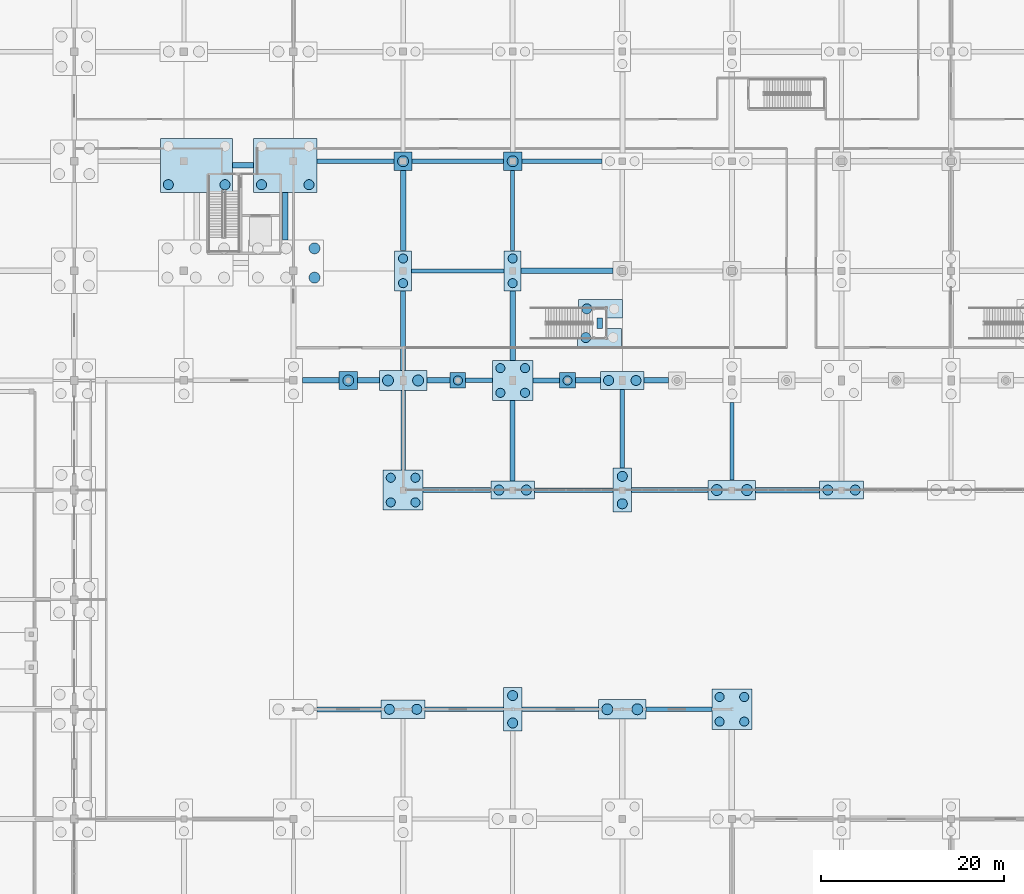
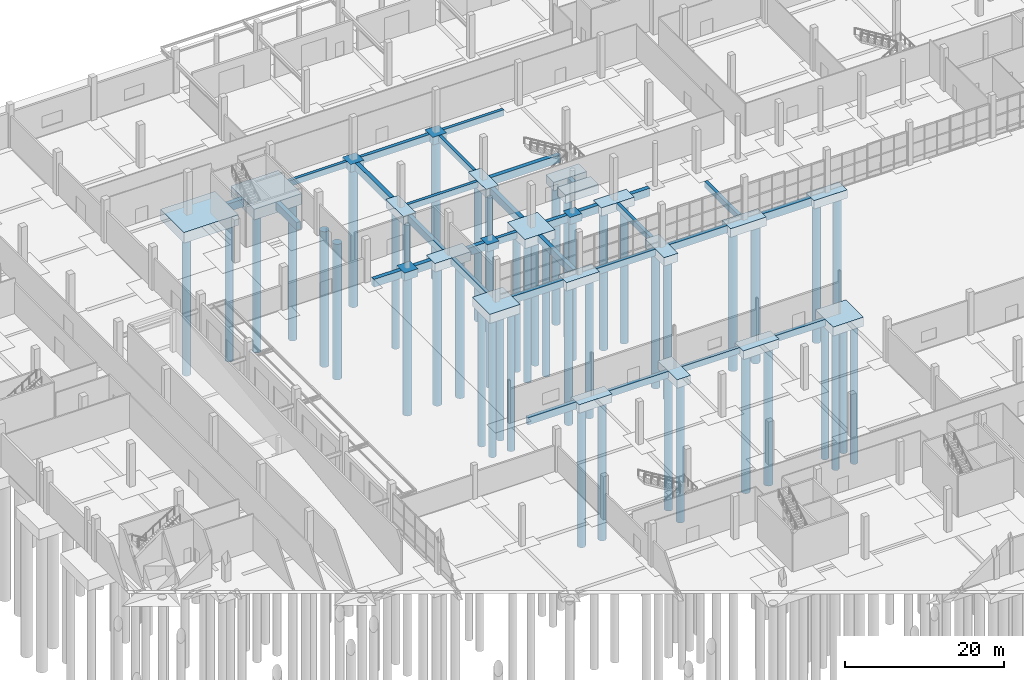
# One storey, part 6 of 117: 54 footings, 47 piles.
"""IFC4 building model written with IfcOpenShell, lengths in metres."""

from ifc_helpers import new_model, si_unit, direction, frame, origin, origin_2d, place, context, subcontext, project, spatial, rectangle, circle, extrude, material, material_profile, profile_set, type_object, element, save


model = new_model("IFC4")

# Units and contexts
model_context = context("Model", 3, precision=1e-05, world=origin(), true_north=direction((0.0, 1.0)))
body_context = subcontext(model_context, "Body", "Model", "MODEL_VIEW")
ifc_project = project(units=[si_unit("LENGTHUNIT", "METRE"), si_unit("AREAUNIT", "SQUARE_METRE"), si_unit("VOLUMEUNIT", "CUBIC_METRE"), si_unit("PLANEANGLEUNIT", "RADIAN"), si_unit("MASSUNIT", "GRAM", prefix="KILO")], contexts=[model_context])

# Site, building, storey
site_placement = place(None, origin())
site = spatial("IfcSite", under=ifc_project, at=site_placement, CompositionType="ELEMENT")
building_placement = place(site_placement, origin())
building = spatial("IfcBuilding", under=site, at=building_placement, Name="Kamomehara Wholesale Market", CompositionType="ELEMENT")
storey_placement = place(building_placement, origin())
storey = spatial("IfcBuildingStorey", under=building, at=storey_placement, Name="L00", CompositionType="ELEMENT", Elevation=0.0)

# Footings
ifc_material_1 = material(Name="Concrete Fc30 (C30/37)", Category="concrete")
footing_type_1 = type_object("IfcFootingType", Name="CAP-1P-1700", PredefinedType="PILE_CAP", material=ifc_material_1)
for number, where, z_axis, x_axis, name in (
    (1, (78.0, 108.0, -1.10009765625), (0.0, 0.0, 1.0), (1.0, 0.0, 0.0), "Pile cap PC-01"),
    (2, (90.0, 108.0, -1.10009765625), (0.0, 0.0, 1.0), (1.0, 0.0, 0.0), "Pile cap PC-01"),
):
    element("IfcFooting", number, at=place(storey_placement, frame(where, z_axis=z_axis, x_axis=x_axis)), inside=storey, type_object=footing_type_1, Name=name, PredefinedType="PILE_CAP", context=body_context, shape_type="SweptSolid", body=[
        extrude(rectangle(XDim=1.699951171875, YDim=1.699951171875, at=origin_2d()), origin(), (0.0, 0.0, 1.0), 1.10009765625),
    ])
ifc_material_2 = material(Name="Concrete Fc30 (C30/37)", Category="concrete")
footing_type_2 = type_object("IfcFootingType", Name="CAP-1P-2000", PredefinedType="PILE_CAP", material=ifc_material_2)
for number, where, z_axis, x_axis, name in (
    (3, (66.0, 108.0, -1.2001953125), (0.0, 0.0, 1.0), (1.0, 0.0, 0.0), "Pile cap PC-03"),
    (4, (72.0, 132.0, -1.2001953125), (0.0, 0.0, 1.0), (1.0, 0.0, 0.0), "Pile cap PC-03"),
    (5, (84.0, 132.0, -1.2001953125), (0.0, 0.0, 1.0), (1.0, 0.0, 0.0), "Pile cap PC-03"),
):
    element("IfcFooting", number, at=place(storey_placement, frame(where, z_axis=z_axis, x_axis=x_axis)), inside=storey, type_object=footing_type_2, Name=name, PredefinedType="PILE_CAP", context=body_context, shape_type="SweptSolid", body=[
        extrude(rectangle(XDim=2.0, YDim=2.0, at=origin_2d()), origin(), (0.0, 0.0, 1.0), 1.199951171875),
    ])
ifc_material_3 = material(Name="Concrete Fc30 (C30/37)", Category="concrete")
footing_type_3 = type_object("IfcFootingType", Name="CAP-2PX-4800", PredefinedType="PILE_CAP", material=ifc_material_3)
for number, where, z_axis, x_axis, name in (
    (6, (72.0, 72.0, -1.2998046875), (0.0, 0.0, 1.0), (1.0, 0.0, 0.0), "Pile cap PC-06"),
    (7, (84.0, 96.0, -1.2998046875), (0.0, 0.0, 1.0), (1.0, 0.0, 0.0), "Pile cap PC-06"),
    (8, (93.501953125, 112.699951171875, -1.2998046875), (0.0, 0.0, 1.0), (1.0, 0.0, 0.0), "Pile cap PC-06"),
    (9, (93.614990234375, 115.840087890625, -1.2998046875), (0.0, 0.0, 1.0), (1.0, 0.0, 0.0), "Pile cap PC-06"),
    (10, (96.0, 108.0, -1.2998046875), (0.0, 0.0, 1.0), (1.0, 0.0, 0.0), "Pile cap PC-06"),
    (11, (120.0, 96.0, -1.2998046875), (0.0, 0.0, 1.0), (1.0, 0.0, 0.0), "Pile cap PC-06"),
):
    element("IfcFooting", number, at=place(storey_placement, frame(where, z_axis=z_axis, x_axis=x_axis)), inside=storey, type_object=footing_type_3, Name=name, PredefinedType="PILE_CAP", context=body_context, shape_type="SweptSolid", body=[
        extrude(rectangle(XDim=4.800048828125, YDim=2.0, at=origin_2d()), origin(), (0.0, 0.0, 1.0), 1.300048828125),
    ])
ifc_material_4 = material(Name="Concrete Fc30 (C30/37)", Category="concrete")
footing_type_4 = type_object("IfcFootingType", Name="CAP-2PX-5200", PredefinedType="PILE_CAP", material=ifc_material_4)
for number, where, z_axis, x_axis, name in (
    (12, (72.0, 108.0, -1.35009765625), (0.0, 0.0, 1.0), (1.0, 0.0, 0.0), "Pile cap PC-08"),
    (13, (96.0, 72.0, -1.35009765625), (0.0, 0.0, 1.0), (1.0, 0.0, 0.0), "Pile cap PC-08"),
    (14, (108.0, 96.0, -1.35009765625), (0.0, 0.0, 1.0), (1.0, 0.0, 0.0), "Pile cap PC-08"),
):
    element("IfcFooting", number, at=place(storey_placement, frame(where, z_axis=z_axis, x_axis=x_axis)), inside=storey, type_object=footing_type_4, Name=name, PredefinedType="PILE_CAP", context=body_context, shape_type="SweptSolid", body=[
        extrude(rectangle(XDim=5.199951171875, YDim=2.14990234375, at=origin_2d()), origin(), (0.0, 0.0, 1.0), 1.35009765625),
    ])
ifc_material_5 = material(Name="Concrete Fc30 (C30/37)", Category="concrete")
footing_type_5 = type_object("IfcFootingType", Name="CAP-2PY-4400", PredefinedType="PILE_CAP", material=ifc_material_5)
for number, where, z_axis, x_axis, name in (
    (15, (72.0, 120.0, -1.25), (0.0, 0.0, 1.0), (1.0, 0.0, 0.0), "Pile cap PC-05"),
    (16, (84.0, 120.0, -1.25), (0.0, 0.0, 1.0), (1.0, 0.0, 0.0), "Pile cap PC-05"),
):
    element("IfcFooting", number, at=place(storey_placement, frame(where, z_axis=z_axis, x_axis=x_axis)), inside=storey, type_object=footing_type_5, Name=name, PredefinedType="PILE_CAP", context=body_context, shape_type="SweptSolid", body=[
        extrude(rectangle(XDim=1.85009765625, YDim=4.39990234375, at=origin_2d()), origin(), (0.0, 0.0, 1.0), 1.25),
    ])
ifc_material_6 = material(Name="Concrete Fc30 (C30/37)", Category="concrete")
footing_type_6 = type_object("IfcFootingType", Name="CAP-2PY-4800", PredefinedType="PILE_CAP", material=ifc_material_6)
for number, where, z_axis, x_axis, name in (
    (17, (84.0, 72.0, -1.2998046875), (0.0, 0.0, 1.0), (1.0, 0.0, 0.0), "Pile cap PC-07"),
    (18, (96.0, 96.0, -1.2998046875), (0.0, 0.0, 1.0), (1.0, 0.0, 0.0), "Pile cap PC-07"),
):
    element("IfcFooting", number, at=place(storey_placement, frame(where, z_axis=z_axis, x_axis=x_axis)), inside=storey, type_object=footing_type_6, Name=name, PredefinedType="PILE_CAP", context=body_context, shape_type="SweptSolid", body=[
        extrude(rectangle(XDim=2.0, YDim=4.800048828125, at=origin_2d()), origin(), (0.0, 0.0, 1.0), 1.300048828125),
    ])
ifc_material_7 = material(Name="Concrete Fc30 (C30/37)", Category="concrete")
footing_type_7 = type_object("IfcFootingType", Name="CAP-4P-4400", PredefinedType="PILE_CAP", material=ifc_material_7)
for number, where, z_axis, x_axis, name in (
    (19, (72.0, 96.0, -1.39990234375), (0.0, 0.0, 1.0), (1.0, 0.0, 0.0), "Pile cap PC-10"),
    (20, (84.0, 108.0, -1.39990234375), (0.0, 0.0, 1.0), (1.0, 0.0, 0.0), "Pile cap PC-10"),
    (21, (108.0, 72.0, -1.39990234375), (0.0, 0.0, 1.0), (1.0, 0.0, 0.0), "Pile cap PC-10"),
):
    element("IfcFooting", number, at=place(storey_placement, frame(where, z_axis=z_axis, x_axis=x_axis)), inside=storey, type_object=footing_type_7, Name=name, PredefinedType="PILE_CAP", context=body_context, shape_type="SweptSolid", body=[
        extrude(rectangle(XDim=4.39990234375, YDim=4.39990234375, at=origin_2d()), origin(), (0.0, 0.0, 1.0), 1.39990234375),
    ])
ifc_material_8 = material(Name="Concrete Fc30 (C30/37)", Category="concrete")
footing_type_8 = type_object("IfcFootingType", Name="CAP-CMB-690x590", PredefinedType="PILE_CAP", material=ifc_material_8)
footing_1_placement = place(storey_placement, frame((59.10009765625, 131.537109375, -1.64990234375), z_axis=(0.0, 0.0, 1.0), x_axis=(1.0, 0.0, 0.0)))
element("IfcFooting", 22, at=footing_1_placement, inside=storey, type_object=footing_type_8, Name="Pile cap PCC-69x59", PredefinedType="PILE_CAP", context=body_context, shape_type="SweptSolid", body=[
    extrude(rectangle(XDim=6.89990234375, YDim=5.89990234375, at=origin_2d()), origin(), (0.0, 0.0, 1.0), 1.64990234375),
])
ifc_material_9 = material(Name="Concrete Fc30 (C30/37)", Category="concrete")
footing_type_9 = type_object("IfcFootingType", Name="CAP-CMB-790x590", PredefinedType="PILE_CAP", material=ifc_material_9)
footing_2_placement = place(storey_placement, frame((49.39990234375, 131.537109375, -1.64990234375), z_axis=(0.0, 0.0, 1.0), x_axis=(1.0, 0.0, 0.0)))
element("IfcFooting", 23, at=footing_2_placement, inside=storey, type_object=footing_type_9, Name="Pile cap PCC-79x59", PredefinedType="PILE_CAP", context=body_context, shape_type="SweptSolid", body=[
    extrude(rectangle(XDim=7.89990234375, YDim=5.89990234375, at=origin_2d()), origin(), (0.0, 0.0, 1.0), 1.64990234375),
])
ifc_material_10 = material(Name="Concrete Fc30 (C30/37)", Category="concrete")
ifc_material_profile_1 = material_profile(ifc_material_10, rectangle(XDim=0.449951171875, YDim=0.89990234375, at=origin_2d()), Name="RC-FTB-450x900")
ifc_profile_set_1 = profile_set([ifc_material_profile_1], Name="Concrete Fc30 (C30/37)")
footing_type_10 = type_object("IfcFootingType", Name="FTB-450x900", PredefinedType="FOOTING_BEAM", material=ifc_profile_set_1)
footing_3_placement = place(storey_placement, frame((62.552001953125, 132.0, -0.449951171875), z_axis=(1.0, 0.0, 0.0), x_axis=(0.0, 1.0, 0.0)))
element("IfcFooting", 24, at=footing_3_placement, inside=storey, type_object=footing_type_10, Name="Foundation tie beam 59", PredefinedType="FOOTING_BEAM", context=body_context, shape_type="SweptSolid", body=[
    extrude(rectangle(XDim=0.449951171875, YDim=0.89990234375, at=origin_2d()), origin(), (0.0, 0.0, 1.0), 8.446044921875),
])
footing_4_placement = place(storey_placement, frame((72.927001953125, 120.0, -0.449951171875), z_axis=(1.0, 0.0, 0.0), x_axis=(0.0, 1.0, 0.0)))
element("IfcFooting", 25, at=footing_4_placement, inside=storey, type_object=footing_type_10, Name="Foundation tie beam 71", PredefinedType="FOOTING_BEAM", context=body_context, shape_type="SweptSolid", body=[
    extrude(rectangle(XDim=0.449951171875, YDim=0.89990234375, at=origin_2d()), origin(), (0.0, 0.0, 1.0), 10.14599609375),
])
footing_5_placement = place(storey_placement, frame((85.001953125, 72.0, -0.449951171875), z_axis=(1.0, 0.0, 0.0), x_axis=(0.0, 1.0, 0.0)))
element("IfcFooting", 26, at=footing_5_placement, inside=storey, type_object=footing_type_10, Name="Foundation tie beam 83", PredefinedType="FOOTING_BEAM", context=body_context, shape_type="SweptSolid", body=[
    extrude(rectangle(XDim=0.449951171875, YDim=0.89990234375, at=origin_2d()), origin(), (0.0, 0.0, 1.0), 8.39599609375),
])
for number, where, z_axis, x_axis, name in (
    (27, (85.001953125, 132.0, -0.449951171875), (1.0, 0.0, 0.0), (0.0, 1.0, 0.0), "Foundation tie beam 87"),
    (28, (84.0, 122.201904296875, -0.449951171875), (0.0, 1.0, 0.0), (-1.0, 0.0, 0.0), "Foundation tie beam 271"),
):
    element("IfcFooting", number, at=place(storey_placement, frame(where, z_axis=z_axis, x_axis=x_axis)), inside=storey, type_object=footing_type_10, Name=name, PredefinedType="FOOTING_BEAM", context=body_context, shape_type="SweptSolid", body=[
        extrude(rectangle(XDim=0.449951171875, YDim=0.89990234375, at=origin_2d()), origin(), (0.0, 0.0, 1.0), 8.796142578125),
    ])
footing_6_placement = place(storey_placement, frame((96.0, 98.402099609375, -0.449951171875), z_axis=(0.0, 1.0, 0.0), x_axis=(-1.0, 0.0, 0.0)))
element("IfcFooting", 29, at=footing_6_placement, inside=storey, type_object=footing_type_10, Name="Foundation tie beam 279", PredefinedType="FOOTING_BEAM", context=body_context, shape_type="SweptSolid", body=[
    extrude(rectangle(XDim=0.449951171875, YDim=0.89990234375, at=origin_2d()), origin(), (0.0, 0.0, 1.0), 8.595947265625),
])
footing_7_placement = place(storey_placement, frame((108.0, 97.076904296875, -0.449951171875), z_axis=(0.0, 1.0, 0.0), x_axis=(-1.0, 0.0, 0.0)))
element("IfcFooting", 30, at=footing_7_placement, inside=storey, type_object=footing_type_10, Name="Foundation tie beam 287", PredefinedType="FOOTING_BEAM", context=body_context, shape_type="SweptSolid", body=[
    extrude(rectangle(XDim=0.449951171875, YDim=0.89990234375, at=origin_2d()), origin(), (0.0, 0.0, 1.0), 8.52099609375),
])
ifc_material_11 = material(Name="Concrete Fc30 (C30/37)", Category="concrete")
ifc_material_profile_2 = material_profile(ifc_material_11, rectangle(XDim=0.5, YDim=1.0, at=origin_2d()), Name="RC-FTB-500x1000")
ifc_profile_set_2 = profile_set([ifc_material_profile_2], Name="Concrete Fc30 (C30/37)")
footing_type_11 = type_object("IfcFootingType", Name="FTB-500x1000", PredefinedType="FOOTING_BEAM", material=ifc_profile_set_2)
footing_8_placement = place(storey_placement, frame((74.402099609375, 72.0, -0.5), z_axis=(1.0, 0.0, 0.0), x_axis=(0.0, 1.0, 0.0)))
element("IfcFooting", 31, at=footing_8_placement, inside=storey, type_object=footing_type_11, Name="Foundation tie beam 68", PredefinedType="FOOTING_BEAM", context=body_context, shape_type="SweptSolid", body=[
    extrude(rectangle(XDim=0.5, YDim=1.0, at=origin_2d()), origin(), (0.0, 0.0, 1.0), 8.595947265625),
])
footing_9_placement = place(storey_placement, frame((73.001953125, 132.0, -0.5), z_axis=(1.0, 0.0, 0.0), x_axis=(0.0, 1.0, 0.0)))
element("IfcFooting", 32, at=footing_9_placement, inside=storey, type_object=footing_type_11, Name="Foundation tie beam 72", PredefinedType="FOOTING_BEAM", context=body_context, shape_type="SweptSolid", body=[
    extrude(rectangle(XDim=0.5, YDim=1.0, at=origin_2d()), origin(), (0.0, 0.0, 1.0), 9.99609375),
])
footing_10_placement = place(storey_placement, frame((78.85205078125, 108.0, -0.5), z_axis=(1.0, 0.0, 0.0), x_axis=(0.0, 1.0, 0.0)))
element("IfcFooting", 33, at=footing_10_placement, inside=storey, type_object=footing_type_11, Name="Foundation tie beam 76", PredefinedType="FOOTING_BEAM", context=body_context, shape_type="SweptSolid", body=[
    extrude(rectangle(XDim=0.5, YDim=1.0, at=origin_2d()), origin(), (0.0, 0.0, 1.0), 2.946044921875),
])
footing_11_placement = place(storey_placement, frame((86.402099609375, 96.0, -0.5), z_axis=(1.0, 0.0, 0.0), x_axis=(0.0, 1.0, 0.0)))
element("IfcFooting", 34, at=footing_11_placement, inside=storey, type_object=footing_type_11, Name="Foundation tie beam 84", PredefinedType="FOOTING_BEAM", context=body_context, shape_type="SweptSolid", body=[
    extrude(rectangle(XDim=0.5, YDim=1.0, at=origin_2d()), origin(), (0.0, 0.0, 1.0), 8.595947265625),
])
footing_12_placement = place(storey_placement, frame((98.60205078125, 72.0, -0.5), z_axis=(1.0, 0.0, 0.0), x_axis=(0.0, 1.0, 0.0)))
element("IfcFooting", 35, at=footing_12_placement, inside=storey, type_object=footing_type_11, Name="Foundation tie beam 96", PredefinedType="FOOTING_BEAM", context=body_context, shape_type="SweptSolid", body=[
    extrude(rectangle(XDim=0.5, YDim=1.0, at=origin_2d()), origin(), (0.0, 0.0, 1.0), 7.196044921875),
])
footing_13_placement = place(storey_placement, frame((72.0, 98.201904296875, -0.5), z_axis=(0.0, 1.0, 0.0), x_axis=(-1.0, 0.0, 0.0)))
element("IfcFooting", 36, at=footing_13_placement, inside=storey, type_object=footing_type_11, Name="Foundation tie beam 260", PredefinedType="FOOTING_BEAM", context=body_context, shape_type="SweptSolid", body=[
    extrude(rectangle(XDim=0.5, YDim=1.0, at=origin_2d()), origin(), (0.0, 0.0, 1.0), 8.72119140625),
])
ifc_material_12 = material(Name="Concrete Fc30 (C30/37)", Category="concrete")
ifc_material_profile_3 = material_profile(ifc_material_12, rectangle(XDim=0.550048828125, YDim=1.10009765625, at=origin_2d()), Name="RC-FTB-550x1100")
ifc_profile_set_3 = profile_set([ifc_material_profile_3], Name="Concrete Fc30 (C30/37)")
footing_type_12 = type_object("IfcFootingType", Name="FTB-550x1100", PredefinedType="FOOTING_BEAM", material=ifc_profile_set_3)
footing_14_placement = place(storey_placement, frame((62.60205078125, 72.0, -0.550048828125), z_axis=(1.0, 0.0, 0.0), x_axis=(0.0, 1.0, 0.0)))
element("IfcFooting", 37, at=footing_14_placement, inside=storey, type_object=footing_type_12, Name="Foundation tie beam 57", PredefinedType="FOOTING_BEAM", context=body_context, shape_type="SweptSolid", body=[
    extrude(rectangle(XDim=0.550048828125, YDim=1.10009765625, at=origin_2d()), origin(), (0.0, 0.0, 1.0), 6.995849609375),
])
footing_15_placement = place(storey_placement, frame((74.201904296875, 96.0, -0.550048828125), z_axis=(1.0, 0.0, 0.0), x_axis=(0.0, 1.0, 0.0)))
element("IfcFooting", 38, at=footing_15_placement, inside=storey, type_object=footing_type_12, Name="Foundation tie beam 69", PredefinedType="FOOTING_BEAM", context=body_context, shape_type="SweptSolid", body=[
    extrude(rectangle(XDim=0.550048828125, YDim=1.10009765625, at=origin_2d()), origin(), (0.0, 0.0, 1.0), 7.39599609375),
])
footing_16_placement = place(storey_placement, frame((86.201904296875, 108.0, -0.550048828125), z_axis=(1.0, 0.0, 0.0), x_axis=(0.0, 1.0, 0.0)))
element("IfcFooting", 39, at=footing_16_placement, inside=storey, type_object=footing_type_12, Name="Foundation tie beam 85", PredefinedType="FOOTING_BEAM", context=body_context, shape_type="SweptSolid", body=[
    extrude(rectangle(XDim=0.550048828125, YDim=1.10009765625, at=origin_2d()), origin(), (0.0, 0.0, 1.0), 2.946044921875),
])
footing_17_placement = place(storey_placement, frame((97.001953125, 96.0, -0.550048828125), z_axis=(1.0, 0.0, 0.0), x_axis=(0.0, 1.0, 0.0)))
element("IfcFooting", 40, at=footing_17_placement, inside=storey, type_object=footing_type_12, Name="Foundation tie beam 97", PredefinedType="FOOTING_BEAM", context=body_context, shape_type="SweptSolid", body=[
    extrude(rectangle(XDim=0.550048828125, YDim=1.10009765625, at=origin_2d()), origin(), (0.0, 0.0, 1.0), 8.39599609375),
])
footing_18_placement = place(storey_placement, frame((72.0, 109.076904296875, -0.550048828125), z_axis=(0.0, 1.0, 0.0), x_axis=(-1.0, 0.0, 0.0)))
element("IfcFooting", 41, at=footing_18_placement, inside=storey, type_object=footing_type_12, Name="Foundation tie beam 261", PredefinedType="FOOTING_BEAM", context=body_context, shape_type="SweptSolid", body=[
    extrude(rectangle(XDim=0.550048828125, YDim=1.10009765625, at=origin_2d()), origin(), (0.0, 0.0, 1.0), 8.72119140625),
])
footing_19_placement = place(storey_placement, frame((84.0, 97.001953125, -0.550048828125), z_axis=(0.0, 1.0, 0.0), x_axis=(-1.0, 0.0, 0.0)))
element("IfcFooting", 42, at=footing_19_placement, inside=storey, type_object=footing_type_12, Name="Foundation tie beam 269", PredefinedType="FOOTING_BEAM", context=body_context, shape_type="SweptSolid", body=[
    extrude(rectangle(XDim=0.550048828125, YDim=1.10009765625, at=origin_2d()), origin(), (0.0, 0.0, 1.0), 8.796142578125),
])
ifc_material_13 = material(Name="Concrete Fc30 (C30/37)", Category="concrete")
ifc_material_profile_4 = material_profile(ifc_material_13, rectangle(XDim=0.60009765625, YDim=1.199951171875, at=origin_2d()), Name="RC-FTB-600x1200")
ifc_profile_set_4 = profile_set([ifc_material_profile_4], Name="Concrete Fc30 (C30/37)")
footing_type_13 = type_object("IfcFootingType", Name="FTB-600x1200", PredefinedType="FOOTING_BEAM", material=ifc_profile_set_4)
footing_20_placement = place(storey_placement, frame((53.35205078125, 131.537109375, -0.60009765625), z_axis=(1.0, 0.0, 0.0), x_axis=(0.0, 1.0, 0.0)))
element("IfcFooting", 43, at=footing_20_placement, inside=storey, type_object=footing_type_13, Name="Foundation tie beam 50", PredefinedType="FOOTING_BEAM", context=body_context, shape_type="SweptSolid", body=[
    extrude(rectangle(XDim=0.60009765625, YDim=1.199951171875, at=origin_2d()), origin(), (0.0, 0.0, 1.0), 2.2958984375),
])
footing_21_placement = place(storey_placement, frame((61.001953125, 108.0, -0.60009765625), z_axis=(1.0, 0.0, 0.0), x_axis=(0.0, 1.0, 0.0)))
element("IfcFooting", 44, at=footing_21_placement, inside=storey, type_object=footing_type_13, Name="Foundation tie beam 58", PredefinedType="FOOTING_BEAM", context=body_context, shape_type="SweptSolid", body=[
    extrude(rectangle(XDim=0.60009765625, YDim=1.199951171875, at=origin_2d()), origin(), (0.0, 0.0, 1.0), 3.99609375),
])
footing_22_placement = place(storey_placement, frame((67.001953125, 108.0, -0.60009765625), z_axis=(1.0, 0.0, 0.0), x_axis=(0.0, 1.0, 0.0)))
element("IfcFooting", 45, at=footing_22_placement, inside=storey, type_object=footing_type_13, Name="Foundation tie beam 62", PredefinedType="FOOTING_BEAM", context=body_context, shape_type="SweptSolid", body=[
    extrude(rectangle(XDim=0.60009765625, YDim=1.199951171875, at=origin_2d()), origin(), (0.0, 0.0, 1.0), 2.39599609375),
])
footing_23_placement = place(storey_placement, frame((74.60205078125, 108.0, -0.60009765625), z_axis=(1.0, 0.0, 0.0), x_axis=(0.0, 1.0, 0.0)))
element("IfcFooting", 46, at=footing_23_placement, inside=storey, type_object=footing_type_13, Name="Foundation tie beam 70", PredefinedType="FOOTING_BEAM", context=body_context, shape_type="SweptSolid", body=[
    extrude(rectangle(XDim=0.60009765625, YDim=1.199951171875, at=origin_2d()), origin(), (0.0, 0.0, 1.0), 2.5458984375),
])
footing_24_placement = place(storey_placement, frame((84.927001953125, 120.0, -0.60009765625), z_axis=(1.0, 0.0, 0.0), x_axis=(0.0, 1.0, 0.0)))
element("IfcFooting", 47, at=footing_24_placement, inside=storey, type_object=footing_type_13, Name="Foundation tie beam 86", PredefinedType="FOOTING_BEAM", context=body_context, shape_type="SweptSolid", body=[
    extrude(rectangle(XDim=0.60009765625, YDim=1.199951171875, at=origin_2d()), origin(), (0.0, 0.0, 1.0), 10.071044921875),
])
footing_25_placement = place(storey_placement, frame((90.85205078125, 108.0, -0.60009765625), z_axis=(1.0, 0.0, 0.0), x_axis=(0.0, 1.0, 0.0)))
element("IfcFooting", 48, at=footing_25_placement, inside=storey, type_object=footing_type_13, Name="Foundation tie beam 90", PredefinedType="FOOTING_BEAM", context=body_context, shape_type="SweptSolid", body=[
    extrude(rectangle(XDim=0.60009765625, YDim=1.199951171875, at=origin_2d()), origin(), (0.0, 0.0, 1.0), 2.745849609375),
])
footing_26_placement = place(storey_placement, frame((98.402099609375, 108.0, -0.60009765625), z_axis=(1.0, 0.0, 0.0), x_axis=(0.0, 1.0, 0.0)))
element("IfcFooting", 49, at=footing_26_placement, inside=storey, type_object=footing_type_13, Name="Foundation tie beam 98", PredefinedType="FOOTING_BEAM", context=body_context, shape_type="SweptSolid", body=[
    extrude(rectangle(XDim=0.60009765625, YDim=1.199951171875, at=origin_2d()), origin(), (0.0, 0.0, 1.0), 2.6708984375),
])
footing_27_placement = place(storey_placement, frame((110.60205078125, 96.0, -0.60009765625), z_axis=(1.0, 0.0, 0.0), x_axis=(0.0, 1.0, 0.0)))
element("IfcFooting", 50, at=footing_27_placement, inside=storey, type_object=footing_type_13, Name="Foundation tie beam 110", PredefinedType="FOOTING_BEAM", context=body_context, shape_type="SweptSolid", body=[
    extrude(rectangle(XDim=0.60009765625, YDim=1.199951171875, at=origin_2d()), origin(), (0.0, 0.0, 1.0), 6.995849609375),
])
footing_28_placement = place(storey_placement, frame((59.10009765625, 123.364013671875, -0.60009765625), z_axis=(0.0, 1.0, 0.0), x_axis=(-1.0, 0.0, 0.0)))
element("IfcFooting", 51, at=footing_28_placement, inside=storey, type_object=footing_type_13, Name="Foundation tie beam 254", PredefinedType="FOOTING_BEAM", context=body_context, shape_type="SweptSolid", body=[
    extrude(rectangle(XDim=0.60009765625, YDim=1.199951171875, at=origin_2d()), origin(), (0.0, 0.0, 1.0), 5.220947265625),
])
footing_29_placement = place(storey_placement, frame((72.0, 122.201904296875, -0.60009765625), z_axis=(0.0, 1.0, 0.0), x_axis=(-1.0, 0.0, 0.0)))
element("IfcFooting", 52, at=footing_29_placement, inside=storey, type_object=footing_type_13, Name="Foundation tie beam 262", PredefinedType="FOOTING_BEAM", context=body_context, shape_type="SweptSolid", body=[
    extrude(rectangle(XDim=0.60009765625, YDim=1.199951171875, at=origin_2d()), origin(), (0.0, 0.0, 1.0), 8.796142578125),
])
footing_30_placement = place(storey_placement, frame((84.0, 110.201904296875, -0.60009765625), z_axis=(0.0, 1.0, 0.0), x_axis=(-1.0, 0.0, 0.0)))
element("IfcFooting", 53, at=footing_30_placement, inside=storey, type_object=footing_type_13, Name="Foundation tie beam 270", PredefinedType="FOOTING_BEAM", context=body_context, shape_type="SweptSolid", body=[
    extrude(rectangle(XDim=0.60009765625, YDim=1.199951171875, at=origin_2d()), origin(), (0.0, 0.0, 1.0), 7.59619140625),
])
footing_31_placement = place(storey_placement, frame((93.55810546875, 113.701904296875, -0.60009765625), z_axis=(0.0, 1.0, 0.0), x_axis=(-1.0, 0.0, 0.0)))
element("IfcFooting", 54, at=footing_31_placement, inside=storey, type_object=footing_type_13, Name="Foundation tie beam 274", PredefinedType="FOOTING_BEAM", context=body_context, shape_type="SweptSolid", body=[
    extrude(rectangle(XDim=0.60009765625, YDim=1.199951171875, at=origin_2d()), origin(), (0.0, 0.0, 1.0), 1.135986328125),
])

# Piles
ifc_material_14 = material(Name="Concrete Fc30 (C30/37)", Category="concrete")
ifc_material_profile_5 = material_profile(ifc_material_14, circle(Radius=0.5, at=origin_2d()), Name="RC-PILE-D1000")
ifc_profile_set_5 = profile_set([ifc_material_profile_5], Name="Concrete Fc30 (C30/37)")
pile_type_1 = type_object("IfcPileType", Name="PILE-D1000", PredefinedType="BORED", material=ifc_profile_set_5)
for number, where, z_axis, x_axis, name in (
    (55, (70.64990234375, 94.64990234375, -1.300048828125), (0.0, 0.0, -1.0), (1.0, 0.0, 0.0), "Bored pile 79.253"),
    (56, (73.35009765625, 94.64990234375, -1.300048828125), (0.0, 0.0, -1.0), (1.0, 0.0, 0.0), "Bored pile 79.254"),
    (57, (70.64990234375, 97.35009765625, -1.300048828125), (0.0, 0.0, -1.0), (1.0, 0.0, 0.0), "Bored pile 79.255"),
    (58, (73.35009765625, 97.35009765625, -1.300048828125), (0.0, 0.0, -1.0), (1.0, 0.0, 0.0), "Bored pile 79.256"),
):
    element("IfcPile", number, at=place(storey_placement, frame(where, z_axis=z_axis, x_axis=x_axis)), inside=storey, type_object=pile_type_1, Name=name, PredefinedType="BORED", context=body_context, shape_type="SweptSolid", body=[
        extrude(circle(Radius=0.5, at=origin_2d()), origin(), (0.0, 0.0, 1.0), 21.199951171875),
    ])
for number, where, z_axis, x_axis, name in (
    (59, (72.0, 118.64990234375, -1.14990234375), (0.0, 0.0, -1.0), (1.0, 0.0, 0.0), "Bored pile 81.259"),
    (60, (72.0, 121.35009765625, -1.14990234375), (0.0, 0.0, -1.0), (1.0, 0.0, 0.0), "Bored pile 81.260"),
):
    element("IfcPile", number, at=place(storey_placement, frame(where, z_axis=z_axis, x_axis=x_axis)), inside=storey, type_object=pile_type_1, Name=name, PredefinedType="BORED", context=body_context, shape_type="SweptSolid", body=[
        extrude(circle(Radius=0.5, at=origin_2d()), origin(), (0.0, 0.0, 1.0), 21.35009765625),
    ])
pile_1_placement = place(storey_placement, frame((78.0, 108.0, -1.0), z_axis=(0.0, 0.0, -1.0), x_axis=(1.0, 0.0, 0.0)))
element("IfcPile", 61, at=pile_1_placement, inside=storey, type_object=pile_type_1, Name="Bored pile 86.267", PredefinedType="BORED", context=body_context, shape_type="SweptSolid", body=[
    extrude(circle(Radius=0.5, at=origin_2d()), origin(), (0.0, 0.0, 1.0), 21.5),
])
for number, where, z_axis, x_axis, name in (
    (62, (82.64990234375, 106.64990234375, -1.300048828125), (0.0, 0.0, -1.0), (1.0, 0.0, 0.0), "Bored pile 95.288"),
    (63, (85.35009765625, 106.64990234375, -1.300048828125), (0.0, 0.0, -1.0), (1.0, 0.0, 0.0), "Bored pile 95.289"),
    (64, (82.64990234375, 109.35009765625, -1.300048828125), (0.0, 0.0, -1.0), (1.0, 0.0, 0.0), "Bored pile 95.290"),
    (65, (85.35009765625, 109.35009765625, -1.300048828125), (0.0, 0.0, -1.0), (1.0, 0.0, 0.0), "Bored pile 95.291"),
):
    element("IfcPile", number, at=place(storey_placement, frame(where, z_axis=z_axis, x_axis=x_axis)), inside=storey, type_object=pile_type_1, Name=name, PredefinedType="BORED", context=body_context, shape_type="SweptSolid", body=[
        extrude(circle(Radius=0.5, at=origin_2d()), origin(), (0.0, 0.0, 1.0), 21.199951171875),
    ])
for number, where, z_axis, x_axis, name in (
    (66, (84.0, 118.64990234375, -1.14990234375), (0.0, 0.0, -1.0), (1.0, 0.0, 0.0), "Bored pile 96.292"),
    (67, (84.0, 121.35009765625, -1.14990234375), (0.0, 0.0, -1.0), (1.0, 0.0, 0.0), "Bored pile 96.293"),
):
    element("IfcPile", number, at=place(storey_placement, frame(where, z_axis=z_axis, x_axis=x_axis)), inside=storey, type_object=pile_type_1, Name=name, PredefinedType="BORED", context=body_context, shape_type="SweptSolid", body=[
        extrude(circle(Radius=0.5, at=origin_2d()), origin(), (0.0, 0.0, 1.0), 21.35009765625),
    ])
pile_2_placement = place(storey_placement, frame((90.0, 108.0, -1.0), z_axis=(0.0, 0.0, -1.0), x_axis=(1.0, 0.0, 0.0)))
element("IfcPile", 68, at=pile_2_placement, inside=storey, type_object=pile_type_1, Name="Bored pile 100.301", PredefinedType="BORED", context=body_context, shape_type="SweptSolid", body=[
    extrude(circle(Radius=0.5, at=origin_2d()), origin(), (0.0, 0.0, 1.0), 21.5),
])
for number, where, z_axis, x_axis, name in (
    (69, (106.64990234375, 70.64990234375, -1.300048828125), (0.0, 0.0, -1.0), (1.0, 0.0, 0.0), "Bored pile 123.360"),
    (70, (109.35009765625, 70.64990234375, -1.300048828125), (0.0, 0.0, -1.0), (1.0, 0.0, 0.0), "Bored pile 123.361"),
    (71, (106.64990234375, 73.35009765625, -1.300048828125), (0.0, 0.0, -1.0), (1.0, 0.0, 0.0), "Bored pile 123.362"),
    (72, (109.35009765625, 73.35009765625, -1.300048828125), (0.0, 0.0, -1.0), (1.0, 0.0, 0.0), "Bored pile 123.363"),
):
    element("IfcPile", number, at=place(storey_placement, frame(where, z_axis=z_axis, x_axis=x_axis)), inside=storey, type_object=pile_type_1, Name=name, PredefinedType="BORED", context=body_context, shape_type="SweptSolid", body=[
        extrude(circle(Radius=0.5, at=origin_2d()), origin(), (0.0, 0.0, 1.0), 21.199951171875),
    ])
ifc_material_15 = material(Name="Concrete Fc30 (C30/37)", Category="concrete")
ifc_material_profile_6 = material_profile(ifc_material_15, circle(Radius=0.550048828125, at=origin_2d()), Name="RC-PILE-D1100")
ifc_profile_set_6 = profile_set([ifc_material_profile_6], Name="Concrete Fc30 (C30/37)")
pile_type_2 = type_object("IfcPileType", Name="PILE-D1100", PredefinedType="BORED", material=ifc_profile_set_6)
for number, where, z_axis, x_axis, name in (
    (73, (46.300048828125, 129.43701171875, -1.550048828125), (0.0, 0.0, -1.0), (1.0, 0.0, 0.0), "Bored pile 55.189"),
    (74, (52.5, 129.43701171875, -1.550048828125), (0.0, 0.0, -1.0), (1.0, 0.0, 0.0), "Bored pile 55.190"),
    (75, (56.5, 129.43701171875, -1.550048828125), (0.0, 0.0, -1.0), (1.0, 0.0, 0.0), "Bored pile 66.221"),
    (76, (61.699951171875, 129.43701171875, -1.550048828125), (0.0, 0.0, -1.0), (1.0, 0.0, 0.0), "Bored pile 66.222"),
):
    element("IfcPile", number, at=place(storey_placement, frame(where, z_axis=z_axis, x_axis=x_axis)), inside=storey, type_object=pile_type_2, Name=name, PredefinedType="BORED", context=body_context, shape_type="SweptSolid", body=[
        extrude(circle(Radius=0.550048828125, at=origin_2d()), origin(), (0.0, 0.0, 1.0), 20.949951171875),
    ])
for number, where, z_axis, x_axis, name in (
    (77, (70.5, 72.0, -1.199951171875), (0.0, 0.0, -1.0), (1.0, 0.0, 0.0), "Bored pile 78.251"),
    (78, (73.5, 72.0, -1.199951171875), (0.0, 0.0, -1.0), (1.0, 0.0, 0.0), "Bored pile 78.252"),
    (79, (84.0, 70.5, -1.199951171875), (0.0, 0.0, -1.0), (1.0, 0.0, 0.0), "Bored pile 93.284"),
    (80, (84.0, 73.5, -1.199951171875), (0.0, 0.0, -1.0), (1.0, 0.0, 0.0), "Bored pile 93.285"),
    (81, (82.5, 96.0, -1.199951171875), (0.0, 0.0, -1.0), (1.0, 0.0, 0.0), "Bored pile 94.286"),
    (82, (85.5, 96.0, -1.199951171875), (0.0, 0.0, -1.0), (1.0, 0.0, 0.0), "Bored pile 94.287"),
    (83, (92.001953125, 112.699951171875, -1.199951171875), (0.0, 0.0, -1.0), (1.0, 0.0, 0.0), "Bored pile 102.303"),
    (84, (92.114990234375, 115.840087890625, -1.199951171875), (0.0, 0.0, -1.0), (1.0, 0.0, 0.0), "Bored pile 103.305"),
    (85, (96.0, 94.5, -1.199951171875), (0.0, 0.0, -1.0), (1.0, 0.0, 0.0), "Bored pile 110.329"),
    (86, (96.0, 97.5, -1.199951171875), (0.0, 0.0, -1.0), (1.0, 0.0, 0.0), "Bored pile 110.330"),
    (87, (94.5, 108.0, -1.199951171875), (0.0, 0.0, -1.0), (1.0, 0.0, 0.0), "Bored pile 111.331"),
    (88, (97.5, 108.0, -1.199951171875), (0.0, 0.0, -1.0), (1.0, 0.0, 0.0), "Bored pile 111.332"),
    (89, (118.5, 96.0, -1.199951171875), (0.0, 0.0, -1.0), (1.0, 0.0, 0.0), "Bored pile 137.395"),
    (90, (121.5, 96.0, -1.199951171875), (0.0, 0.0, -1.0), (1.0, 0.0, 0.0), "Bored pile 137.396"),
):
    element("IfcPile", number, at=place(storey_placement, frame(where, z_axis=z_axis, x_axis=x_axis)), inside=storey, type_object=pile_type_2, Name=name, PredefinedType="BORED", context=body_context, shape_type="SweptSolid", body=[
        extrude(circle(Radius=0.550048828125, at=origin_2d()), origin(), (0.0, 0.0, 1.0), 21.300048828125),
    ])
ifc_material_16 = material(Name="Concrete Fc30 (C30/37)", Category="concrete")
ifc_material_profile_7 = material_profile(ifc_material_16, circle(Radius=0.60009765625, at=origin_2d()), Name="RC-PILE-D1200")
ifc_profile_set_7 = profile_set([ifc_material_profile_7], Name="Concrete Fc30 (C30/37)")
pile_type_3 = type_object("IfcPileType", Name="PILE-D1200", PredefinedType="BORED", material=ifc_profile_set_7)
for number, where, z_axis, x_axis, name in (
    (91, (62.300048828125, 119.261962890625, -1.64990234375), (0.0, 0.0, -1.0), (1.0, 0.0, 0.0), "Bored pile 65.217"),
    (92, (62.300048828125, 122.4619140625, -1.64990234375), (0.0, 0.0, -1.0), (1.0, 0.0, 0.0), "Bored pile 65.220"),
):
    element("IfcPile", number, at=place(storey_placement, frame(where, z_axis=z_axis, x_axis=x_axis)), inside=storey, type_object=pile_type_3, Name=name, PredefinedType="BORED", context=body_context, shape_type="SweptSolid", body=[
        extrude(circle(Radius=0.60009765625, at=origin_2d()), origin(), (0.0, 0.0, 1.0), 20.85009765625),
    ])
pile_3_placement = place(storey_placement, frame((66.0, 108.0, -1.10009765625), z_axis=(0.0, 0.0, -1.0), x_axis=(1.0, 0.0, 0.0)))
element("IfcPile", 93, at=pile_3_placement, inside=storey, type_object=pile_type_3, Name="Bored pile 69.229", PredefinedType="BORED", context=body_context, shape_type="SweptSolid", body=[
    extrude(circle(Radius=0.60009765625, at=origin_2d()), origin(), (0.0, 0.0, 1.0), 21.39990234375),
])
for number, where, z_axis, x_axis, name in (
    (94, (70.35009765625, 108.0, -1.25), (0.0, 0.0, -1.0), (1.0, 0.0, 0.0), "Bored pile 80.257"),
    (95, (73.64990234375, 108.0, -1.25), (0.0, 0.0, -1.0), (1.0, 0.0, 0.0), "Bored pile 80.258"),
):
    element("IfcPile", number, at=place(storey_placement, frame(where, z_axis=z_axis, x_axis=x_axis)), inside=storey, type_object=pile_type_3, Name=name, PredefinedType="BORED", context=body_context, shape_type="SweptSolid", body=[
        extrude(circle(Radius=0.60009765625, at=origin_2d()), origin(), (0.0, 0.0, 1.0), 21.25),
    ])
for number, where, z_axis, x_axis, name in (
    (96, (72.0, 132.0, -1.10009765625), (0.0, 0.0, -1.0), (1.0, 0.0, 0.0), "Bored pile 82.261"),
    (97, (84.0, 132.0, -1.10009765625), (0.0, 0.0, -1.0), (1.0, 0.0, 0.0), "Bored pile 97.294"),
):
    element("IfcPile", number, at=place(storey_placement, frame(where, z_axis=z_axis, x_axis=x_axis)), inside=storey, type_object=pile_type_3, Name=name, PredefinedType="BORED", context=body_context, shape_type="SweptSolid", body=[
        extrude(circle(Radius=0.60009765625, at=origin_2d()), origin(), (0.0, 0.0, 1.0), 21.39990234375),
    ])
for number, where, z_axis, x_axis, name in (
    (98, (94.35009765625, 72.0, -1.25), (0.0, 0.0, -1.0), (1.0, 0.0, 0.0), "Bored pile 109.327"),
    (99, (97.64990234375, 72.0, -1.25), (0.0, 0.0, -1.0), (1.0, 0.0, 0.0), "Bored pile 109.328"),
    (100, (106.35009765625, 96.0, -1.25), (0.0, 0.0, -1.0), (1.0, 0.0, 0.0), "Bored pile 124.364"),
    (101, (109.64990234375, 96.0, -1.25), (0.0, 0.0, -1.0), (1.0, 0.0, 0.0), "Bored pile 124.365"),
):
    element("IfcPile", number, at=place(storey_placement, frame(where, z_axis=z_axis, x_axis=x_axis)), inside=storey, type_object=pile_type_3, Name=name, PredefinedType="BORED", context=body_context, shape_type="SweptSolid", body=[
        extrude(circle(Radius=0.60009765625, at=origin_2d()), origin(), (0.0, 0.0, 1.0), 21.25),
    ])

save(model, "model.ifc")
